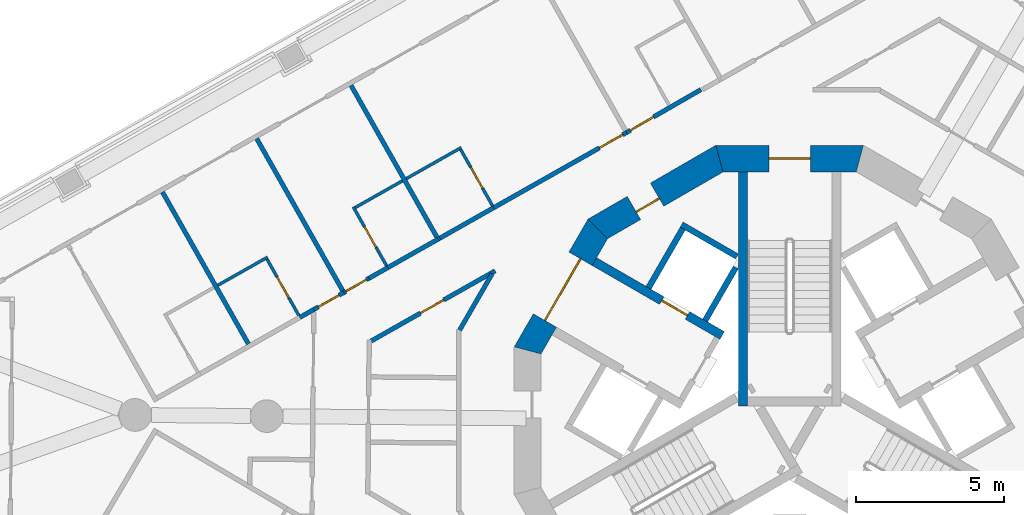
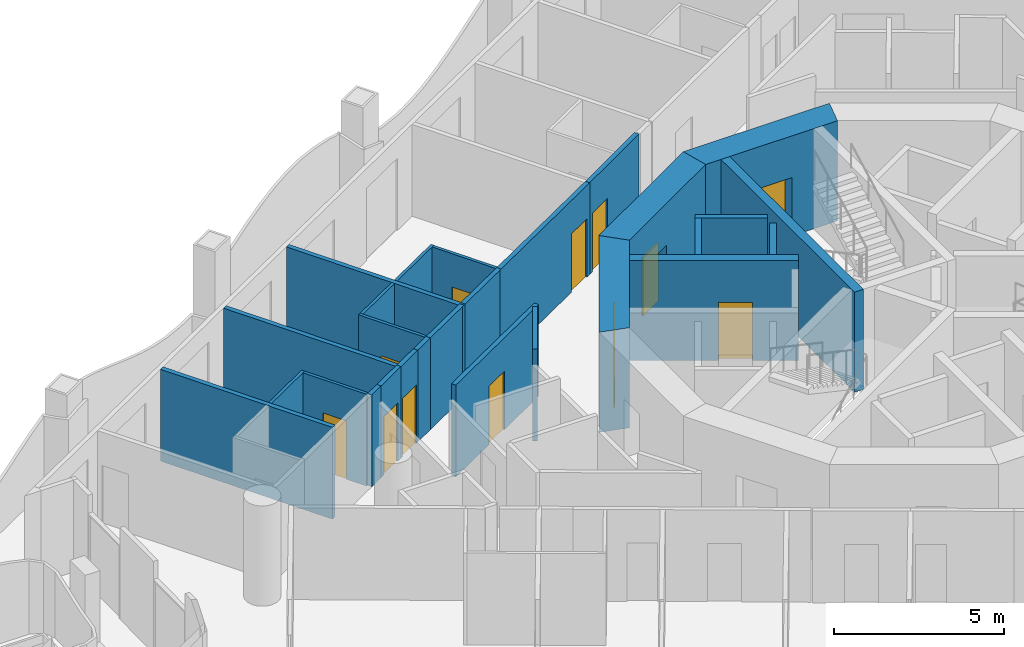
# One storey, part 7 of 17: 27 walls, 12 doors, 12 openings.
"""IFC4 building model written with IfcOpenShell, lengths in metres."""

from ifc_helpers import new_model, si_unit, direction, frame, frame_2d, origin, place, context, subcontext, project, spatial, polyline, rectangle, outline, extrude, material, layer, layer_set, type_object, element, fill, save


model = new_model("IFC4")

# Units and contexts
model_context = context("Model", 3, precision=1e-05, world=origin(), true_north=direction((0.0, 1.0)))
body_context = subcontext(model_context, "Body", "Model", "MODEL_VIEW")
ifc_project = project(units=[si_unit("LENGTHUNIT", "METRE"), si_unit("AREAUNIT", "SQUARE_METRE"), si_unit("VOLUMEUNIT", "CUBIC_METRE"), si_unit("PLANEANGLEUNIT", "RADIAN"), si_unit("MASSUNIT", "GRAM", prefix="KILO")], contexts=[model_context])

# Site, building, storey
site_placement = place(None, origin())
site = spatial("IfcSite", under=ifc_project, at=site_placement, CompositionType="ELEMENT")
building_placement = place(site_placement, origin())
building = spatial("IfcBuilding", under=site, at=building_placement, Name="Trine Commons Tower", CompositionType="ELEMENT")
storey_placement = place(building_placement, frame((0.0, 0.0, 179.10009765625)))
storey = spatial("IfcBuildingStorey", under=building, at=storey_placement, Name="L46", CompositionType="ELEMENT", Elevation=179.10009765625)

# Wall, opening, door
ifc_material_1 = material(Name="Concrete C60/75", Category="concrete")
ifc_layer_1 = layer(ifc_material_1, 0.300048828125)
ifc_layer_set_1 = layer_set([ifc_layer_1], Name="Concrete C60/75")
wall_type_1 = type_object("IfcWallType", Name="RC shear wall 300 mm, C60/75", PredefinedType="SHEAR", material=ifc_layer_set_1)
wall_1_placement = place(storey_placement, frame((77.73095703125, 65.368896484375, 0.0), z_axis=(0.0, 0.0, 1.0), x_axis=(-0.865983655544, 0.500072303102, 0.0)))
wall_1 = element("IfcWall", 1, at=wall_1_placement, inside=storey, type_object=wall_type_1, Name="Core cross wall SWB-02 L46", PredefinedType="SHEAR", context=body_context, shape_type="SweptSolid", body=[
    extrude(rectangle(XDim=4.973388671875, YDim=0.300048828125, at=frame_2d((2.48681640625, 0.0))), origin(), (0.0, 0.0, 1.0), 3.599853515625),
])
opening_1_placement = place(wall_1_placement, frame((1.3505859375, 0.0, 0.0)))
opening_1 = element("IfcOpeningElement", 2, at=opening_1_placement, cuts=wall_1, Name="Opening LD8", PredefinedType="OPENING", context=body_context, shape_type="SweptSolid", body=[
    extrude(rectangle(XDim=1.0, YDim=2.10009765625, at=frame_2d((0.5, 1.050048828125))), frame((0.0, 0.159912109375, 0.0), z_axis=(0.0, -1.0, 0.0), x_axis=(1.0, 0.0, 0.0)), (0.0, 0.0, 1.0), 0.320068359375),
])
ifc_material_2 = material(Name="Stainless steel sliding door leaves", Category="steel")
door_type_1 = type_object("IfcDoorType", Name="Lift landing door, centre-opening sliding 1000 x 2100, FD90", OperationType="DOUBLE_DOOR_SLIDING", PredefinedType="DOOR", material=ifc_material_2)
door_1_placement = place(opening_1_placement, origin())
door_1 = element("IfcDoor", 3, at=door_1_placement, inside=storey, type_object=door_type_1, Name="Lift landing door HR4 L46", OperationType="DOUBLE_DOOR_SLIDING", OverallHeight=2.10009765625, OverallWidth=1.0, PredefinedType="DOOR", context=body_context, shape_type="SweptSolid", body=[
    extrude(rectangle(XDim=1.0, YDim=2.10009765625, at=frame_2d((0.5, 1.050048828125))), frame((0.0, 0.02490234375, 0.0), z_axis=(0.0, -1.0, 0.0), x_axis=(1.0, 0.0, 0.0)), (0.0, 0.0, 1.0), 0.050048828125),
])
fill(opening_1, door_1)

# Wall
wall_2_placement = place(storey_placement, frame((78.425048828125, 63.0009765625, 0.0), z_axis=(0.0, 0.0, 1.0), x_axis=(0.0, 1.0, 0.0)))
element("IfcWall", 4, at=wall_2_placement, inside=storey, type_object=wall_type_1, Name="Core cross wall SWB-08 L46", PredefinedType="SHEAR", context=body_context, shape_type="SweptSolid", body=[
    extrude(rectangle(XDim=7.8720703125, YDim=0.300048828125, at=frame_2d((3.93603515625, 0.0))), origin(), (0.0, 0.0, 1.0), 3.599853515625),
])

# Wall, opening, door
ifc_layer_2 = layer(ifc_material_1, 0.89990234375)
ifc_layer_set_2 = layer_set([ifc_layer_2], Name="Concrete C60/75")
wall_type_2 = type_object("IfcWallType", Name="RC shear wall 900 mm, C60/75", PredefinedType="SHEAR", material=ifc_layer_set_2)
wall_3_placement = place(storey_placement, frame((82.484619140625, 71.322998046875, 0.0), z_axis=(0.0, 0.0, 1.0), x_axis=(-1.0, 0.0, 0.0)))
wall_3 = element("IfcWall", 5, at=wall_3_placement, inside=storey, type_object=wall_type_2, Name="Core wall CWE-04 L46", PredefinedType="SHEAR", context=body_context, shape_type="SweptSolid", body=[
    extrude(outline(polyline([(0.0, -0.449951171875), (4.969482421875, -0.449951171875), (4.728271484375, 0.449951171875), (0.2412109375, 0.449951171875), (0.0, -0.449951171875)])), origin(), (0.0, 0.0, 1.0), 3.599853515625),
])
opening_2_placement = place(wall_3_placement, frame((1.78466796875, 0.0, 0.0)))
opening_2 = element("IfcOpeningElement", 6, at=opening_2_placement, cuts=wall_3, Name="Opening K09.01", PredefinedType="OPENING", context=body_context, shape_type="SweptSolid", body=[
    extrude(rectangle(XDim=1.39990234375, YDim=2.10009765625, at=frame_2d((0.699951171875, 1.050048828125))), frame((0.0, 0.4599609375, 0.0), z_axis=(0.0, -1.0, 0.0), x_axis=(1.0, 0.0, 0.0)), (0.0, 0.0, 1.0), 0.919921875),
])
ifc_material_3 = material(Name="Steel door leaves, fire-rated", Category="steel")
door_type_2 = type_object("IfcDoorType", Name="Stair door, double leaf 1400 x 2100, FD90", OperationType="DOUBLE_DOOR_SINGLE_SWING", PredefinedType="DOOR", material=ifc_material_3)
door_2_placement = place(opening_2_placement, origin())
door_2 = element("IfcDoor", 7, at=door_2_placement, inside=storey, type_object=door_type_2, Name="Stair door to Exit stair ST1B L46", OperationType="DOUBLE_DOOR_SINGLE_SWING", OverallHeight=2.10009765625, OverallWidth=1.39990234375, PredefinedType="DOOR", context=body_context, shape_type="SweptSolid", body=[
    extrude(rectangle(XDim=1.39990234375, YDim=2.10009765625, at=frame_2d((0.699951171875, 1.050048828125))), frame((0.0, 0.02490234375, 0.0), z_axis=(0.0, -1.0, 0.0), x_axis=(1.0, 0.0, 0.0)), (0.0, 0.0, 1.0), 0.050048828125),
])
fill(opening_2, door_2)

wall_4_placement = place(storey_placement, frame((77.740234375, 71.38330078125, 0.0), z_axis=(0.0, 0.0, 1.0), x_axis=(-0.866003133579, -0.500038571144, 0.0)))
wall_4 = element("IfcWall", 8, at=wall_4_placement, inside=storey, type_object=wall_type_2, Name="Core wall CWE-05 L46", PredefinedType="SHEAR", context=body_context, shape_type="SweptSolid", body=[
    extrude(outline(polyline([(0.0, -0.449951171875), (4.96923828125, -0.449951171875), (4.72802734375, 0.449951171875), (0.2412109375, 0.449951171875), (0.0, -0.449951171875)])), origin(), (0.0, 0.0, 1.0), 3.599853515625),
])
opening_3_placement = place(wall_4_placement, frame((2.544921875, 0.0, 0.0)))
opening_3 = element("IfcOpeningElement", 9, at=opening_3_placement, cuts=wall_4, Name="Opening K09.12", PredefinedType="OPENING", context=body_context, shape_type="SweptSolid", body=[
    extrude(rectangle(XDim=0.89990234375, YDim=2.10009765625, at=frame_2d((0.449951171875, 1.050048828125))), frame((0.0, 0.4599609375, 0.0), z_axis=(0.0, -1.0, 0.0), x_axis=(1.0, 0.0, 0.0)), (0.0, 0.0, 1.0), 0.919921875),
])
ifc_material_4 = material(Name="Steel door leaf, fire-rated", Category="steel")
door_type_3 = type_object("IfcDoorType", Name="Core room door, single leaf 900 x 2100, FD30S", OperationType="SINGLE_SWING_LEFT", PredefinedType="DOOR", material=ifc_material_4)
door_3_placement = place(opening_3_placement, origin())
door_3 = element("IfcDoor", 10, at=door_3_placement, inside=storey, type_object=door_type_3, Name="Door to Pantry L46", OperationType="SINGLE_SWING_RIGHT", OverallHeight=2.10009765625, OverallWidth=0.89990234375, PredefinedType="DOOR", context=body_context, shape_type="SweptSolid", body=[
    extrude(rectangle(XDim=0.89990234375, YDim=2.10009765625, at=frame_2d((0.449951171875, 1.050048828125))), frame((0.0, 0.1748046875, 0.0), z_axis=(0.0, -1.0, 0.0), x_axis=(1.0, 0.0, 0.0)), (0.0, 0.0, 1.0), 0.050048828125),
])
fill(opening_3, door_3)

wall_5_placement = place(storey_placement, frame((73.6015625, 69.063232421875, 0.0), z_axis=(0.0, 0.0, 1.0), x_axis=(-0.500038571144, -0.866003133579, 0.0)))
wall_5 = element("IfcWall", 11, at=wall_5_placement, inside=storey, type_object=wall_type_2, Name="Core wall CWE-06 L46", PredefinedType="SHEAR", context=body_context, shape_type="SweptSolid", body=[
    extrude(outline(polyline([(0.0, -0.449951171875), (4.96923828125, -0.449951171875), (4.72802734375, 0.449951171875), (0.2412109375, 0.449951171875), (0.0, -0.449951171875)])), origin(), (0.0, 0.0, 1.0), 3.599853515625),
])
opening_4_placement = place(wall_5_placement, frame((1.28466796875, 0.0, 0.0)))
opening_4 = element("IfcOpeningElement", 12, at=opening_4_placement, cuts=wall_5, Name="Opening K09.06", PredefinedType="OPENING", context=body_context, shape_type="SweptSolid", body=[
    extrude(rectangle(XDim=2.39990234375, YDim=2.10009765625, at=frame_2d((1.199951171875, 1.050048828125))), frame((0.0, 0.4599609375, 0.0), z_axis=(0.0, -1.0, 0.0), x_axis=(1.0, 0.0, 0.0)), (0.0, 0.0, 1.0), 0.919921875),
])
door_type_4 = type_object("IfcDoorType", Name="Lobby door, double leaf 2400 x 2100, FD60", OperationType="DOUBLE_DOOR_SINGLE_SWING", PredefinedType="DOOR", material=ifc_material_3)
door_4_placement = place(opening_4_placement, origin())
door_4 = element("IfcDoor", 13, at=door_4_placement, inside=storey, type_object=door_type_4, Name="Lobby door, Passenger lift lobby B L46", OperationType="DOUBLE_DOOR_SINGLE_SWING", OverallHeight=2.10009765625, OverallWidth=2.39990234375, PredefinedType="DOOR", context=body_context, shape_type="SweptSolid", body=[
    extrude(rectangle(XDim=2.39990234375, YDim=2.10009765625, at=frame_2d((1.199951171875, 1.050048828125))), frame((0.0, 0.02490234375, 0.0), z_axis=(0.0, -1.0, 0.0), x_axis=(1.0, 0.0, 0.0)), (0.0, 0.0, 1.0), 0.050048828125),
])
fill(opening_4, door_4)

# Walls
ifc_material_5 = material(Name="Fire-rated gypsum shaft wall system")
ifc_layer_3 = layer(ifc_material_5, 0.199951171875)
ifc_layer_set_3 = layer_set([ifc_layer_3], Name="Fire-rated gypsum shaft wall system")
wall_type_3 = type_object("IfcWallType", Name="Shaft wall 200 mm, EI 120", PredefinedType="PARTITIONING", material=ifc_layer_set_3)
wall_6_placement = place(storey_placement, frame((75.2509765625, 66.97412109375, 0.0), z_axis=(0.0, 0.0, 1.0), x_axis=(0.500136062276, 0.86594683394, 0.0)))
element("IfcWall", 14, at=wall_6_placement, inside=storey, type_object=wall_type_3, Name="Shaft wall L46", PredefinedType="PARTITIONING", context=body_context, shape_type="SweptSolid", body=[
    extrude(rectangle(XDim=2.299072265625, YDim=0.199951171875, at=frame_2d((1.1494140625, 0.0))), origin(), (0.0, 0.0, 1.0), 3.2998046875),
])
wall_7_placement = place(storey_placement, frame((77.156005859375, 65.8740234375, 0.0), z_axis=(0.0, 0.0, 1.0), x_axis=(0.499865770674, 0.866102887253, 0.0)))
element("IfcWall", 15, at=wall_7_placement, inside=storey, type_object=wall_type_3, Name="Shaft wall L46", PredefinedType="PARTITIONING", context=body_context, shape_type="SweptSolid", body=[
    extrude(rectangle(XDim=2.064453125, YDim=0.199951171875, at=frame_2d((1.0322265625, 0.0))), origin(), (0.0, 0.0, 1.0), 3.2998046875),
])
wall_8_placement = place(storey_placement, frame((78.22509765625, 68.028076171875, 0.0), z_axis=(0.0, 0.0, 1.0), x_axis=(-0.866130725101, 0.499817533742, 0.0)))
element("IfcWall", 16, at=wall_8_placement, inside=storey, type_object=wall_type_3, Name="Shaft wall L46", PredefinedType="PARTITIONING", context=body_context, shape_type="SweptSolid", body=[
    extrude(rectangle(XDim=2.148681640625, YDim=0.199951171875, at=frame_2d((1.07421875, 0.0))), origin(), (0.0, 0.0, 1.0), 3.2998046875),
])
ifc_material_6 = material(Name="Gypsum plasterboard on steel stud", Category="steel")
ifc_layer_4 = layer(ifc_material_6, 0.14990234375)
ifc_layer_set_4 = layer_set([ifc_layer_4], Name="Gypsum plasterboard on steel stud")
wall_type_4 = type_object("IfcWallType", Name="Unit and corridor wall 150 mm, EI 60", PredefinedType="PARTITIONING", material=ifc_layer_set_4)
wall_9_placement = place(storey_placement, frame((58.8837890625, 70.197265625, 0.0), z_axis=(0.0, 0.0, 1.0), x_axis=(0.492361245758, -0.870390948756, 0.0)))
element("IfcWall", 17, at=wall_9_placement, inside=storey, type_object=wall_type_4, Name="Partition 005", PredefinedType="PARTITIONING", context=body_context, shape_type="SweptSolid", body=[
    extrude(rectangle(XDim=5.87451171875, YDim=0.14990234375, at=frame_2d((2.937255859375, 0.0))), origin(), (0.0, 0.0, 1.0), 3.2998046875),
])
wall_10_placement = place(storey_placement, frame((62.0576171875, 71.9931640625, 0.0), z_axis=(0.0, 0.0, 1.0), x_axis=(0.492391211334, -0.870373997199, 0.0)))
element("IfcWall", 18, at=wall_10_placement, inside=storey, type_object=wall_type_4, Name="Partition 015", PredefinedType="PARTITIONING", context=body_context, shape_type="SweptSolid", body=[
    extrude(rectangle(XDim=5.949462890625, YDim=0.14990234375, at=frame_2d((2.974609375, 0.0))), origin(), (0.0, 0.0, 1.0), 3.2998046875),
])
wall_11_placement = place(storey_placement, frame((63.507080078125, 65.97705078125, 0.0), z_axis=(0.0, 0.0, 1.0), x_axis=(0.869938000449, 0.493161104888, 0.0)))
element("IfcWall", 19, at=wall_11_placement, inside=storey, type_object=wall_type_4, Name="Partition 019", PredefinedType="PARTITIONING", context=body_context, shape_type="SweptSolid", body=[
    extrude(rectangle(XDim=0.5390625, YDim=0.14990234375, at=frame_2d((0.26953125, 0.0))), origin(), (0.0, 0.0, 1.0), 3.2998046875),
])

# Wall, opening, door
wall_12_placement = place(storey_placement, frame((63.97607421875, 66.242919921875, 0.0), z_axis=(0.0, 0.0, 1.0), x_axis=(0.870234820761, 0.492637145102, 0.0)))
wall_12 = element("IfcWall", 20, at=wall_12_placement, inside=storey, type_object=wall_type_4, Name="Partition 024", PredefinedType="PARTITIONING", context=body_context, shape_type="SweptSolid", body=[
    extrude(rectangle(XDim=1.1650390625, YDim=0.14990234375, at=frame_2d((0.58251953125, 0.0))), origin(), (0.0, 0.0, 1.0), 3.2998046875),
])
opening_5_placement = place(wall_12_placement, frame((0.180908203125, 0.0, 0.0)))
opening_5 = element("IfcOpeningElement", 21, at=opening_5_placement, cuts=wall_12, Name="Opening D-5B07", PredefinedType="OPENING", context=body_context, shape_type="SweptSolid", body=[
    extrude(rectangle(XDim=0.800048828125, YDim=2.10009765625, at=frame_2d((0.39990234375, 1.050048828125))), frame((0.0, 0.0849609375, 0.0), z_axis=(0.0, -1.0, 0.0), x_axis=(1.0, 0.0, 0.0)), (0.0, 0.0, 1.0), 0.169921875),
])
ifc_material_7 = material(Name="Timber fire door set", Category="wood")
door_type_5 = type_object("IfcDoorType", Name="Bedroom door 800 x 2100, FD30S", OperationType="NOTDEFINED", PredefinedType="DOOR", material=ifc_material_7)
door_5_placement = place(opening_5_placement, origin())
door_5 = element("IfcDoor", 22, at=door_5_placement, inside=storey, type_object=door_type_5, Name="Door D-5B07", OperationType="SINGLE_SWING_LEFT", OverallHeight=2.10009765625, OverallWidth=0.800048828125, PredefinedType="DOOR", context=body_context, shape_type="SweptSolid", body=[
    extrude(rectangle(XDim=0.800048828125, YDim=2.10009765625, at=frame_2d((0.39990234375, 1.050048828125))), frame((0.0, 0.02490234375, 0.0), z_axis=(0.0, -1.0, 0.0), x_axis=(1.0, 0.0, 0.0)), (0.0, 0.0, 1.0), 0.050048828125),
])
fill(opening_5, door_5)

wall_13_placement = place(storey_placement, frame((64.98388671875, 66.81298828125, 0.0), z_axis=(0.0, 0.0, 1.0), x_axis=(0.870488073498, 0.492189510145, 0.0)))
wall_13 = element("IfcWall", 23, at=wall_13_placement, inside=storey, type_object=wall_type_4, Name="Partition 026", PredefinedType="PARTITIONING", context=body_context, shape_type="SweptSolid", body=[
    extrude(rectangle(XDim=0.97314453125, YDim=0.14990234375, at=frame_2d((0.486572265625, 0.0))), origin(), (0.0, 0.0, 1.0), 3.2998046875),
])
opening_6_placement = place(wall_13_placement, frame((0.08349609375, 0.0, 0.0)))
opening_6 = element("IfcOpeningElement", 24, at=opening_6_placement, cuts=wall_13, Name="Opening D-5B08", PredefinedType="OPENING", context=body_context, shape_type="SweptSolid", body=[
    extrude(rectangle(XDim=0.800048828125, YDim=2.10009765625, at=frame_2d((0.39990234375, 1.050048828125))), frame((0.0, 0.0849609375, 0.0), z_axis=(0.0, -1.0, 0.0), x_axis=(1.0, 0.0, 0.0)), (0.0, 0.0, 1.0), 0.169921875),
])
door_6_placement = place(opening_6_placement, origin())
door_6 = element("IfcDoor", 25, at=door_6_placement, inside=storey, type_object=door_type_5, Name="Door D-5B08", OperationType="SINGLE_SWING_LEFT", OverallHeight=2.10009765625, OverallWidth=0.800048828125, PredefinedType="DOOR", context=body_context, shape_type="SweptSolid", body=[
    extrude(rectangle(XDim=0.800048828125, YDim=2.10009765625, at=frame_2d((0.39990234375, 1.050048828125))), frame((0.0, 0.02490234375, 0.0), z_axis=(0.0, -1.0, 0.0), x_axis=(1.0, 0.0, 0.0)), (0.0, 0.0, 1.0), 0.050048828125),
])
fill(opening_6, door_6)

# Walls
wall_14_placement = place(storey_placement, frame((65.231689453125, 73.789306640625, 0.0), z_axis=(0.0, 0.0, 1.0), x_axis=(0.492495148892, -0.870315189065, 0.0)))
element("IfcWall", 26, at=wall_14_placement, inside=storey, type_object=wall_type_4, Name="Partition 028", PredefinedType="PARTITIONING", context=body_context, shape_type="SweptSolid", body=[
    extrude(rectangle(XDim=6.02490234375, YDim=0.14990234375, at=frame_2d((3.012451171875, 0.0))), origin(), (0.0, 0.0, 1.0), 3.2998046875),
])
wall_15_placement = place(storey_placement, frame((65.8310546875, 67.2919921875, 0.0), z_axis=(0.0, 0.0, 1.0), x_axis=(0.870513120225, 0.492145209786, 0.0)))
element("IfcWall", 27, at=wall_15_placement, inside=storey, type_object=wall_type_4, Name="Partition 037", PredefinedType="PARTITIONING", context=body_context, shape_type="SweptSolid", body=[
    extrude(rectangle(XDim=0.731689453125, YDim=0.14990234375, at=frame_2d((0.36572265625, 0.0))), origin(), (0.0, 0.0, 1.0), 3.2998046875),
])

# Wall, opening, door
wall_16_placement = place(storey_placement, frame((65.9072265625, 65.180908203125, 0.0), z_axis=(0.0, 0.0, 1.0), x_axis=(0.870373278687, 0.492392481408, 0.0)))
wall_16 = element("IfcWall", 28, at=wall_16_placement, inside=storey, type_object=wall_type_4, Name="Partition 039", PredefinedType="PARTITIONING", context=body_context, shape_type="SweptSolid", body=[
    extrude(rectangle(XDim=4.799072265625, YDim=0.14990234375, at=frame_2d((2.3994140625, 0.0))), origin(), (0.0, 0.0, 1.0), 3.2998046875),
])
opening_7_placement = place(wall_16_placement, frame((1.912109375, 0.0, 0.0)))
opening_7 = element("IfcOpeningElement", 29, at=opening_7_placement, cuts=wall_16, Name="Opening D-5B35", PredefinedType="OPENING", context=body_context, shape_type="SweptSolid", body=[
    extrude(rectangle(XDim=0.89990234375, YDim=2.10009765625, at=frame_2d((0.449951171875, 1.050048828125))), frame((0.0, 0.0849609375, 0.0), z_axis=(0.0, -1.0, 0.0), x_axis=(1.0, 0.0, 0.0)), (0.0, 0.0, 1.0), 0.169921875),
])
door_type_6 = type_object("IfcDoorType", Name="Service door 900 x 2100, FD30S", OperationType="NOTDEFINED", PredefinedType="DOOR", material=ifc_material_7)
door_7_placement = place(opening_7_placement, frame((0.89990234375, 0.0, 0.0), z_axis=(0.0, 0.0, 1.0), x_axis=(-1.0, 0.0, 0.0)))
door_7 = element("IfcDoor", 30, at=door_7_placement, inside=storey, type_object=door_type_6, Name="Door D-5B35", OperationType="SINGLE_SWING_RIGHT", OverallHeight=2.10009765625, OverallWidth=0.89990234375, PredefinedType="DOOR", context=body_context, shape_type="SweptSolid", body=[
    extrude(rectangle(XDim=0.89990234375, YDim=2.10009765625, at=frame_2d((0.449951171875, 1.050048828125))), frame((0.0, 0.02490234375, 0.0), z_axis=(0.0, -1.0, 0.0), x_axis=(1.0, 0.0, 0.0)), (0.0, 0.0, 1.0), 0.050048828125),
])
fill(opening_7, door_7)

# Walls
wall_17_placement = place(storey_placement, frame((66.41748046875, 67.62451171875, 0.0), z_axis=(0.0, 0.0, 1.0), x_axis=(0.870397465275, 0.492349725747, 0.0)))
element("IfcWall", 31, at=wall_17_placement, inside=storey, type_object=wall_type_4, Name="Partition 040", PredefinedType="PARTITIONING", context=body_context, shape_type="SweptSolid", body=[
    extrude(rectangle(XDim=2.0078125, YDim=0.14990234375, at=frame_2d((1.00390625, 0.0))), origin(), (0.0, 0.0, 1.0), 3.2998046875),
])
wall_18_placement = place(storey_placement, frame((68.224365234375, 68.64599609375, 0.0), z_axis=(0.0, 0.0, 1.0), x_axis=(0.870106004403, 0.492864627562, 0.0)))
element("IfcWall", 32, at=wall_18_placement, inside=storey, type_object=wall_type_4, Name="Partition 043", PredefinedType="PARTITIONING", context=body_context, shape_type="SweptSolid", body=[
    extrude(rectangle(XDim=2.08203125, YDim=0.14990234375, at=frame_2d((1.041015625, 0.0))), origin(), (0.0, 0.0, 1.0), 3.2998046875),
])
wall_19_placement = place(storey_placement, frame((68.889404296875, 65.552001953125, 0.0), z_axis=(0.0, 0.0, 1.0), x_axis=(0.499825543119, 0.866126103086, 0.0)))
element("IfcWall", 33, at=wall_19_placement, inside=storey, type_object=wall_type_4, Name="Partition 046", PredefinedType="PARTITIONING", context=body_context, shape_type="SweptSolid", body=[
    extrude(rectangle(XDim=2.186767578125, YDim=0.14990234375, at=frame_2d((1.09326171875, 0.0))), origin(), (0.0, 0.0, 1.0), 3.2998046875),
])

# Wall, opening, door
wall_20_placement = place(storey_placement, frame((69.986572265625, 69.643310546875, 0.0), z_axis=(0.0, 0.0, 1.0), x_axis=(0.870283810916, 0.492550594819, 0.0)))
wall_20 = element("IfcWall", 34, at=wall_20_placement, inside=storey, type_object=wall_type_4, Name="Partition 048", PredefinedType="PARTITIONING", context=body_context, shape_type="SweptSolid", body=[
    extrude(rectangle(XDim=5.200927734375, YDim=0.14990234375, at=frame_2d((2.6005859375, 0.0))), origin(), (0.0, 0.0, 1.0), 3.2998046875),
])
opening_8_placement = place(wall_20_placement, frame((4.1474609375, 0.0, 0.0)))
opening_8 = element("IfcOpeningElement", 35, at=opening_8_placement, cuts=wall_20, Name="Opening D-5B09", PredefinedType="OPENING", context=body_context, shape_type="SweptSolid", body=[
    extrude(rectangle(XDim=0.89990234375, YDim=2.10009765625, at=frame_2d((0.449951171875, 1.050048828125))), frame((0.0, 0.0849609375, 0.0), z_axis=(0.0, -1.0, 0.0), x_axis=(1.0, 0.0, 0.0)), (0.0, 0.0, 1.0), 0.169921875),
])
door_type_7 = type_object("IfcDoorType", Name="Bedroom door 900 x 2100, FD30S", OperationType="NOTDEFINED", PredefinedType="DOOR", material=ifc_material_7)
door_8_placement = place(opening_8_placement, origin())
door_8 = element("IfcDoor", 36, at=door_8_placement, inside=storey, type_object=door_type_7, Name="Door D-5B09", OperationType="SINGLE_SWING_RIGHT", OverallHeight=2.10009765625, OverallWidth=0.89990234375, PredefinedType="DOOR", context=body_context, shape_type="SweptSolid", body=[
    extrude(rectangle(XDim=0.89990234375, YDim=2.10009765625, at=frame_2d((0.449951171875, 1.050048828125))), frame((0.0, 0.02490234375, 0.0), z_axis=(0.0, -1.0, 0.0), x_axis=(1.0, 0.0, 0.0)), (0.0, 0.0, 1.0), 0.050048828125),
])
fill(opening_8, door_8)

wall_21_placement = place(storey_placement, frame((74.507080078125, 72.201904296875, 0.0), z_axis=(0.0, 0.0, 1.0), x_axis=(0.866132196308, 0.499814984288, 0.0)))
wall_21 = element("IfcWall", 37, at=wall_21_placement, inside=storey, type_object=wall_type_4, Name="Partition 053", PredefinedType="PARTITIONING", context=body_context, shape_type="SweptSolid", body=[
    extrude(rectangle(XDim=2.89306640625, YDim=0.14990234375, at=frame_2d((1.446533203125, 0.0))), origin(), (0.0, 0.0, 1.0), 3.2998046875),
])
opening_9_placement = place(wall_21_placement, frame((0.153076171875, 0.0, 0.0)))
opening_9 = element("IfcOpeningElement", 38, at=opening_9_placement, cuts=wall_21, Name="Opening D-5B10", PredefinedType="OPENING", context=body_context, shape_type="SweptSolid", body=[
    extrude(rectangle(XDim=0.89990234375, YDim=2.10009765625, at=frame_2d((0.449951171875, 1.050048828125))), frame((0.0, 0.0849609375, 0.0), z_axis=(0.0, -1.0, 0.0), x_axis=(1.0, 0.0, 0.0)), (0.0, 0.0, 1.0), 0.169921875),
])
door_9_placement = place(opening_9_placement, origin())
door_9 = element("IfcDoor", 39, at=door_9_placement, inside=storey, type_object=door_type_7, Name="Door D-5B10", OperationType="SINGLE_SWING_LEFT", OverallHeight=2.10009765625, OverallWidth=0.89990234375, PredefinedType="DOOR", context=body_context, shape_type="SweptSolid", body=[
    extrude(rectangle(XDim=0.89990234375, YDim=2.10009765625, at=frame_2d((0.449951171875, 1.050048828125))), frame((0.0, 0.02490234375, 0.0), z_axis=(0.0, -1.0, 0.0), x_axis=(1.0, 0.0, 0.0)), (0.0, 0.0, 1.0), 0.050048828125),
])
fill(opening_9, door_9)

# Wall
ifc_layer_5 = layer(ifc_material_6, 0.10009765625)
ifc_layer_set_5 = layer_set([ifc_layer_5], Name="Gypsum plasterboard on steel stud")
wall_type_5 = type_object("IfcWallType", Name="Unit partition 100 mm, no rating", PredefinedType="PARTITIONING", material=ifc_layer_set_5)
wall_22_placement = place(storey_placement, frame((60.745361328125, 67.057861328125, 0.0), z_axis=(0.0, 0.0, 1.0), x_axis=(0.870465997858, 0.492228551156, 0.0)))
element("IfcWall", 40, at=wall_22_placement, inside=storey, type_object=wall_type_5, Name="Partition 009", PredefinedType="PARTITIONING", context=body_context, shape_type="SweptSolid", body=[
    extrude(rectangle(XDim=1.925537109375, YDim=0.10009765625, at=frame_2d((0.962890625, 0.0))), origin(), (0.0, 0.0, 1.0), 3.2998046875),
])

# Wall, opening, door
wall_23_placement = place(storey_placement, frame((62.402587890625, 67.9375, 0.0), z_axis=(0.0, 0.0, 1.0), x_axis=(0.492205197529, -0.870479203385, 0.0)))
wall_23 = element("IfcWall", 41, at=wall_23_placement, inside=storey, type_object=wall_type_5, Name="Partition 016", PredefinedType="PARTITIONING", context=body_context, shape_type="SweptSolid", body=[
    extrude(rectangle(XDim=2.175048828125, YDim=0.10009765625, at=frame_2d((1.08740234375, 0.0))), origin(), (0.0, 0.0, 1.0), 3.2998046875),
])
opening_10_placement = place(wall_23_placement, frame((0.6875, 0.0, 0.0)))
opening_10 = element("IfcOpeningElement", 42, at=opening_10_placement, cuts=wall_23, Name="Opening D-5B40", PredefinedType="OPENING", context=body_context, shape_type="SweptSolid", body=[
    extrude(rectangle(XDim=0.800048828125, YDim=2.10009765625, at=frame_2d((0.39990234375, 1.050048828125))), frame((0.0, 0.06005859375, 0.0), z_axis=(0.0, -1.0, 0.0), x_axis=(1.0, 0.0, 0.0)), (0.0, 0.0, 1.0), 0.1201171875),
])
ifc_material_8 = material(Name="Painted timber", Category="wood")
door_type_8 = type_object("IfcDoorType", Name="Internal door 800 x 2100, NOT RATED", OperationType="NOTDEFINED", PredefinedType="DOOR", material=ifc_material_8)
door_10_placement = place(opening_10_placement, origin())
door_10 = element("IfcDoor", 43, at=door_10_placement, inside=storey, type_object=door_type_8, Name="Door D-5B40", OperationType="SINGLE_SWING_LEFT", OverallHeight=2.10009765625, OverallWidth=0.800048828125, PredefinedType="DOOR", context=body_context, shape_type="SweptSolid", body=[
    extrude(rectangle(XDim=0.800048828125, YDim=2.10009765625, at=frame_2d((0.39990234375, 1.050048828125))), frame((0.0, 0.02490234375, 0.0), z_axis=(0.0, -1.0, 0.0), x_axis=(1.0, 0.0, 0.0)), (0.0, 0.0, 1.0), 0.050048828125),
])
fill(opening_10, door_10)

wall_24_placement = place(storey_placement, frame((65.307373046875, 69.696533203125, 0.0), z_axis=(0.0, 0.0, 1.0), x_axis=(0.492181026221, -0.870492870406, 0.0)))
wall_24 = element("IfcWall", 44, at=wall_24_placement, inside=storey, type_object=wall_type_5, Name="Partition 029", PredefinedType="PARTITIONING", context=body_context, shape_type="SweptSolid", body=[
    extrude(rectangle(XDim=2.27490234375, YDim=0.10009765625, at=frame_2d((1.137451171875, 0.0))), origin(), (0.0, 0.0, 1.0), 3.2998046875),
])
opening_11_placement = place(wall_24_placement, frame((0.762451171875, 0.0, 0.0)))
opening_11 = element("IfcOpeningElement", 45, at=opening_11_placement, cuts=wall_24, Name="Opening D-5B41", PredefinedType="OPENING", context=body_context, shape_type="SweptSolid", body=[
    extrude(rectangle(XDim=0.800048828125, YDim=2.10009765625, at=frame_2d((0.39990234375, 1.050048828125))), frame((0.0, 0.06005859375, 0.0), z_axis=(0.0, -1.0, 0.0), x_axis=(1.0, 0.0, 0.0)), (0.0, 0.0, 1.0), 0.1201171875),
])
door_11_placement = place(opening_11_placement, frame((0.800048828125, 0.0, 0.0), z_axis=(0.0, 0.0, 1.0), x_axis=(-1.0, 0.0, 0.0)))
door_11 = element("IfcDoor", 46, at=door_11_placement, inside=storey, type_object=door_type_8, Name="Door D-5B41", OperationType="SINGLE_SWING_LEFT", OverallHeight=2.10009765625, OverallWidth=0.800048828125, PredefinedType="DOOR", context=body_context, shape_type="SweptSolid", body=[
    extrude(rectangle(XDim=0.800048828125, YDim=2.10009765625, at=frame_2d((0.39990234375, 1.050048828125))), frame((0.0, 0.02490234375, 0.0), z_axis=(0.0, -1.0, 0.0), x_axis=(1.0, 0.0, 0.0)), (0.0, 0.0, 1.0), 0.050048828125),
])
fill(opening_11, door_11)

# Walls
wall_25_placement = place(storey_placement, frame((65.37548828125, 69.677490234375, 0.0), z_axis=(0.0, 0.0, 1.0), x_axis=(0.870318531919, 0.492489241505, 0.0)))
element("IfcWall", 47, at=wall_25_placement, inside=storey, type_object=wall_type_5, Name="Partition 030", PredefinedType="PARTITIONING", context=body_context, shape_type="SweptSolid", body=[
    extrude(rectangle(XDim=1.82470703125, YDim=0.10009765625, at=frame_2d((0.912353515625, 0.0))), origin(), (0.0, 0.0, 1.0), 3.2998046875),
])
wall_26_placement = place(storey_placement, frame((67.09423828125, 70.64990234375, 0.0), z_axis=(0.0, 0.0, 1.0), x_axis=(0.870293094697, 0.492534191019, 0.0)))
element("IfcWall", 48, at=wall_26_placement, inside=storey, type_object=wall_type_5, Name="Partition 041", PredefinedType="PARTITIONING", context=body_context, shape_type="SweptSolid", body=[
    extrude(rectangle(XDim=2.125, YDim=0.10009765625, at=frame_2d((1.0625, 0.0))), origin(), (0.0, 0.0, 1.0), 3.2998046875),
])

# Wall, opening, door
wall_27_placement = place(storey_placement, frame((68.924560546875, 71.62841796875, 0.0), z_axis=(0.0, 0.0, 1.0), x_axis=(0.492593408535, -0.870259578441, 0.0)))
wall_27 = element("IfcWall", 49, at=wall_27_placement, inside=storey, type_object=wall_type_5, Name="Partition 047", PredefinedType="PARTITIONING", context=body_context, shape_type="SweptSolid", body=[
    extrude(rectangle(XDim=2.17529296875, YDim=0.10009765625, at=frame_2d((1.087646484375, 0.0))), origin(), (0.0, 0.0, 1.0), 3.2998046875),
])
opening_12_placement = place(wall_27_placement, frame((0.6875, 0.0, 0.0)))
opening_12 = element("IfcOpeningElement", 50, at=opening_12_placement, cuts=wall_27, Name="Opening D-5B42", PredefinedType="OPENING", context=body_context, shape_type="SweptSolid", body=[
    extrude(rectangle(XDim=0.800048828125, YDim=2.10009765625, at=frame_2d((0.39990234375, 1.050048828125))), frame((0.0, 0.06005859375, 0.0), z_axis=(0.0, -1.0, 0.0), x_axis=(1.0, 0.0, 0.0)), (0.0, 0.0, 1.0), 0.1201171875),
])
door_12_placement = place(opening_12_placement, origin())
door_12 = element("IfcDoor", 51, at=door_12_placement, inside=storey, type_object=door_type_8, Name="Door D-5B42", OperationType="SINGLE_SWING_LEFT", OverallHeight=2.10009765625, OverallWidth=0.800048828125, PredefinedType="DOOR", context=body_context, shape_type="SweptSolid", body=[
    extrude(rectangle(XDim=0.800048828125, YDim=2.10009765625, at=frame_2d((0.39990234375, 1.050048828125))), frame((0.0, 0.02490234375, 0.0), z_axis=(0.0, -1.0, 0.0), x_axis=(1.0, 0.0, 0.0)), (0.0, 0.0, 1.0), 0.050048828125),
])
fill(opening_12, door_12)

save(model, "model.ifc")
